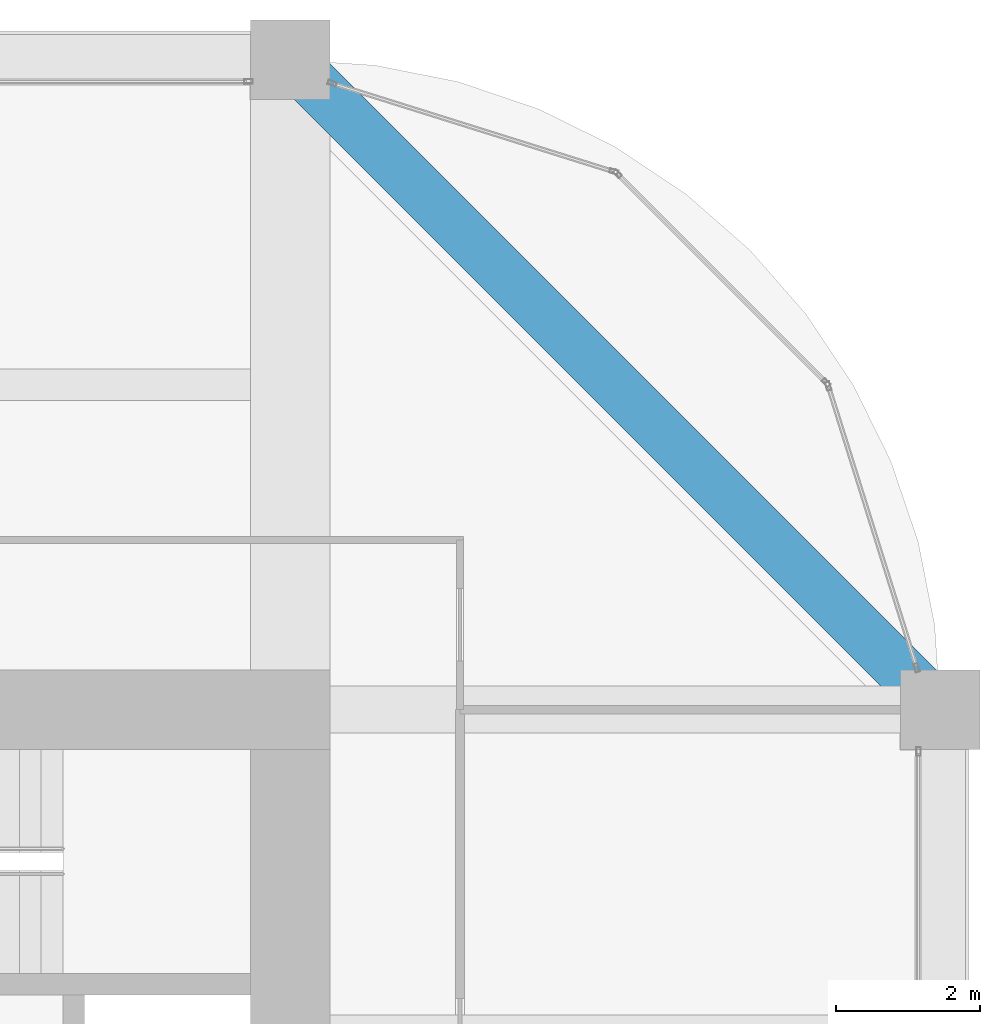
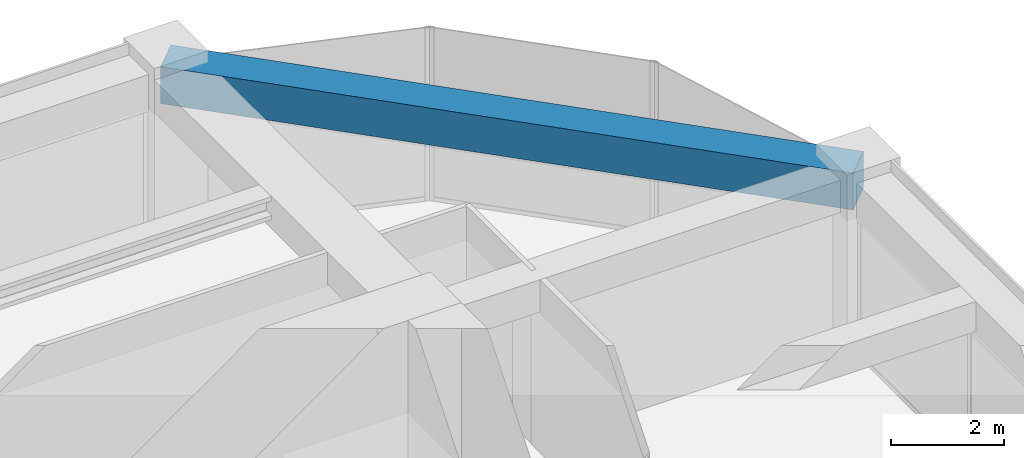
# One storey, part 38 of 44: 1 beam.
"""IFC4 building model written with IfcOpenShell, lengths in metres."""

from ifc_helpers import new_model, si_unit, direction, frame, origin, origin_2d, place, context, subcontext, project, spatial, rectangle, extrude, material, material_profile, profile_set, type_object, element, save


model = new_model("IFC4")

# Units and contexts
model_context = context("Model", 3, precision=1e-05, world=origin(), true_north=direction((0.0, 1.0)))
body_context = subcontext(model_context, "Body", "Model", "MODEL_VIEW")
ifc_project = project(units=[si_unit("LENGTHUNIT", "METRE"), si_unit("AREAUNIT", "SQUARE_METRE"), si_unit("VOLUMEUNIT", "CUBIC_METRE"), si_unit("PLANEANGLEUNIT", "RADIAN"), si_unit("MASSUNIT", "GRAM", prefix="KILO")], contexts=[model_context])

# Site, building, storey
site_placement = place(None, origin())
site = spatial("IfcSite", under=ifc_project, at=site_placement, CompositionType="ELEMENT")
building_placement = place(site_placement, origin())
building = spatial("IfcBuilding", under=site, at=building_placement, Name="Zorevar Civic Tower", CompositionType="ELEMENT")
storey_placement = place(building_placement, frame((0.0, 0.0, 275.39990234375)))
storey = spatial("IfcBuildingStorey", under=building, at=storey_placement, Name="L67", CompositionType="ELEMENT", Elevation=275.39990234375)

# Beam
ifc_material = material(Name="Concrete C50/60", Category="concrete")
ifc_material_profile = material_profile(ifc_material, rectangle(XDim=0.699951171875, YDim=0.800048828125, at=origin_2d()), Name="RC 700x800")
ifc_profile_set = profile_set([ifc_material_profile], Name="Concrete C50/60")
beam_type = type_object("IfcBeamType", Name="Edge beam RC 700x800", PredefinedType="SPANDREL", material=ifc_profile_set)
beam_placement = place(storey_placement, frame((54.0, 36.0, 3.35009765625), z_axis=(-0.707106781187, 0.707106781187, 0.0), x_axis=(-0.707106781187, -0.707106781187, 0.0)))
element("IfcBeam", 1, at=beam_placement, inside=storey, type_object=beam_type, Name="Corner edge beam L68", PredefinedType="SPANDREL", context=body_context, shape_type="SweptSolid", body=[
    extrude(rectangle(XDim=0.699951171875, YDim=0.800048828125, at=origin_2d()), origin(), (0.0, 0.0, 1.0), 12.72802734375),
])

save(model, "model.ifc")
